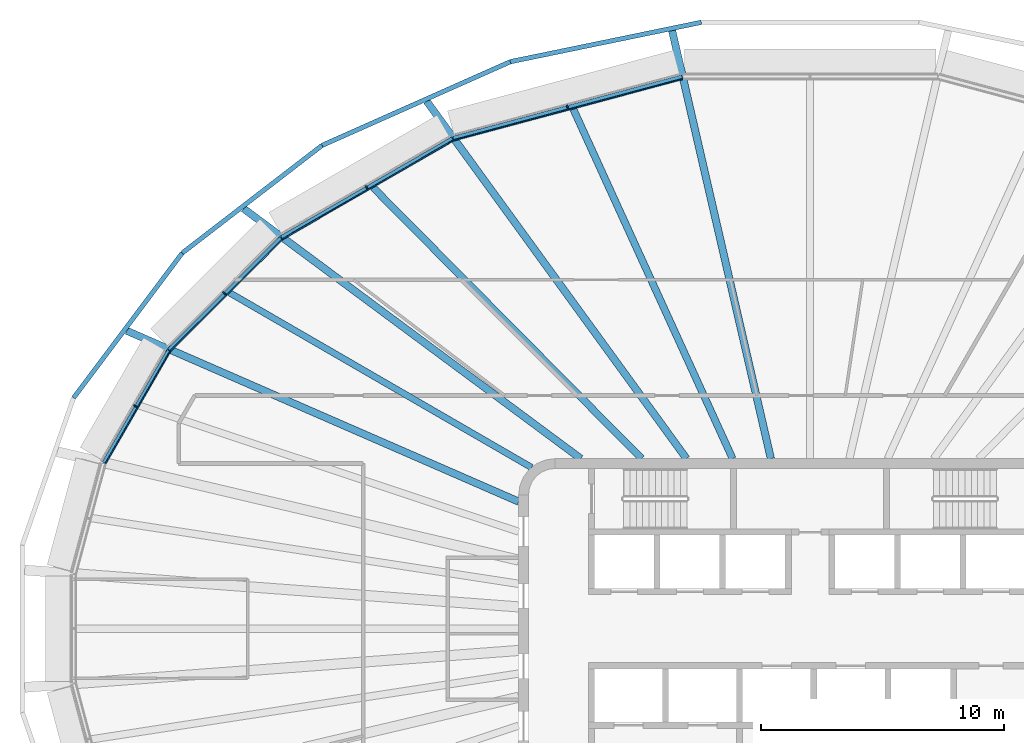
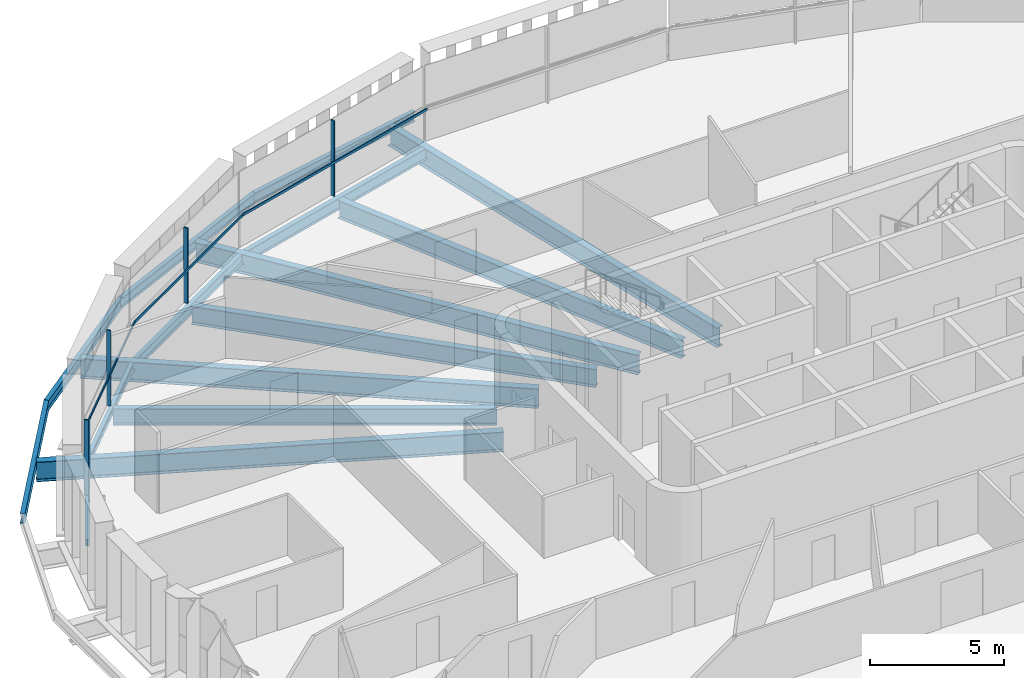
# One storey, part 5 of 19: 15 beams, 8 members, 4 elements without a shape of their own.
"""IFC4 building model written with IfcOpenShell, lengths in metres."""

from ifc_helpers import new_model, si_unit, direction, frame, origin, origin_2d, place, context, subcontext, project, spatial, rectangle, i_section, extrude, material, layer, layer_set, material_profile, profile_set, type_object, element, aggregate, save


model = new_model("IFC4")

# Units and contexts
model_context = context("Model", 3, precision=1e-05, world=origin(), true_north=direction((0.0, 1.0)))
body_context = subcontext(model_context, "Body", "Model", "MODEL_VIEW")
ifc_project = project(units=[si_unit("LENGTHUNIT", "METRE"), si_unit("AREAUNIT", "SQUARE_METRE"), si_unit("VOLUMEUNIT", "CUBIC_METRE"), si_unit("PLANEANGLEUNIT", "RADIAN"), si_unit("MASSUNIT", "GRAM", prefix="KILO")], contexts=[model_context])

# Site, building, storey
site_placement = place(None, origin())
site = spatial("IfcSite", under=ifc_project, at=site_placement, CompositionType="ELEMENT")
building_placement = place(site_placement, origin())
building = spatial("IfcBuilding", under=site, at=building_placement, Name="Sahrelin Media Tower", CompositionType="ELEMENT")
storey_placement = place(building_placement, frame((0.0, 0.0, 241.60009765625)))
storey = spatial("IfcBuildingStorey", under=building, at=storey_placement, Name="L52", CompositionType="ELEMENT", Elevation=241.60009765625)

# Beams
ifc_material_1 = material(Name="Steel S355", Category="steel")
ifc_material_profile_1 = material_profile(ifc_material_1, i_section(OverallWidth=0.1650390625, OverallDepth=0.303466796875, WebThickness=0.006103515625, FlangeThickness=0.01025390625, FilletRadius=0.0087890625, at=origin_2d()), Name="UB 305x165x40")
ifc_profile_set_1 = profile_set([ifc_material_profile_1], Name="Steel S355")
beam_type_1 = type_object("IfcBeamType", Name="Edge beam EB2", PredefinedType="BEAM", material=ifc_profile_set_1)
beam_1_placement = place(storey_placement, frame((-29.07177734375, 6.82470703125, -0.3017578125), z_axis=(0.500034814518, 0.86600530268, 0.0), x_axis=(-0.86600530268, 0.500034814518, 0.0)))
element("IfcBeam", 1, at=beam_1_placement, inside=storey, type_object=beam_type_1, Name="Edge beam L52-15", PredefinedType="BEAM", context=body_context, shape_type="SweptSolid", body=[
    extrude(i_section(OverallWidth=0.1650390625, OverallDepth=0.303466796875, WebThickness=0.006103515625, FlangeThickness=0.01025390625, FilletRadius=0.0087890625, at=origin_2d()), origin(), (0.0, 0.0, 1.0), 5.3447265625),
])
ifc_material_profile_2 = material_profile(ifc_material_1, i_section(OverallWidth=0.17138671875, OverallDepth=0.35498046875, WebThickness=0.00732421875, FlangeThickness=0.011474609375, FilletRadius=0.01025390625, at=origin_2d()), Name="UB 356x171x51")
ifc_profile_set_2 = profile_set([ifc_material_profile_2], Name="Steel S355")
beam_type_2 = type_object("IfcBeamType", Name="Edge beam EB3", PredefinedType="BEAM", material=ifc_profile_set_2)
beam_2_placement = place(storey_placement, frame((-26.381591796875, 11.476318359375, -0.32763671875), z_axis=(0.707106781187, 0.707106781187, 0.0), x_axis=(-0.707106781187, 0.707106781187, 0.0)))
element("IfcBeam", 2, at=beam_2_placement, inside=storey, type_object=beam_type_2, Name="Edge beam L52-16", PredefinedType="BEAM", context=body_context, shape_type="SweptSolid", body=[
    extrude(i_section(OverallWidth=0.17138671875, OverallDepth=0.35498046875, WebThickness=0.00732421875, FlangeThickness=0.011474609375, FilletRadius=0.01025390625, at=origin_2d()), origin(), (0.0, 0.0, 1.0), 6.508544921875),
])
ifc_material_profile_3 = material_profile(ifc_material_1, i_section(OverallWidth=0.1904296875, OverallDepth=0.45703125, WebThickness=0.009033203125, FlangeThickness=0.014404296875, FilletRadius=0.01025390625, at=origin_2d()), Name="UB 457x191x74")
ifc_profile_set_3 = profile_set([ifc_material_profile_3], Name="Steel S355")
beam_type_3 = type_object("IfcBeamType", Name="Edge beam EB5", PredefinedType="BEAM", material=ifc_profile_set_3)
beam_3_placement = place(storey_placement, frame((-21.756591796875, 16.095947265625, -0.378662109375), z_axis=(0.866024038412, 0.500002364886, 0.0), x_axis=(-0.500002364886, 0.866024038412, 0.0)))
element("IfcBeam", 3, at=beam_3_placement, inside=storey, type_object=beam_type_3, Name="Edge beam L52-17", PredefinedType="BEAM", context=body_context, shape_type="SweptSolid", body=[
    extrude(i_section(OverallWidth=0.1904296875, OverallDepth=0.45703125, WebThickness=0.009033203125, FlangeThickness=0.014404296875, FilletRadius=0.01025390625, at=origin_2d()), origin(), (0.0, 0.0, 1.0), 8.12890625),
])
ifc_material_profile_4 = material_profile(ifc_material_1, i_section(OverallWidth=0.208740234375, OverallDepth=0.5283203125, WebThickness=0.009521484375, FlangeThickness=0.01318359375, FilletRadius=0.0126953125, at=origin_2d()), Name="UB 533x210x82")
ifc_profile_set_4 = profile_set([ifc_material_profile_4], Name="Steel S355")
beam_type_4 = type_object("IfcBeamType", Name="Edge beam EB6", PredefinedType="BEAM", material=ifc_profile_set_4)
beam_4_placement = place(storey_placement, frame((-14.690185546875, 20.17138671875, -0.414306640625), z_axis=(0.965922692081, 0.258830741845, 0.0), x_axis=(-0.258830741845, 0.965922692081, 0.0)))
element("IfcBeam", 4, at=beam_4_placement, inside=storey, type_object=beam_type_4, Name="Edge beam L52-18", PredefinedType="BEAM", context=body_context, shape_type="SweptSolid", body=[
    extrude(i_section(OverallWidth=0.208740234375, OverallDepth=0.5283203125, WebThickness=0.009521484375, FlangeThickness=0.01318359375, FilletRadius=0.0126953125, at=origin_2d()), origin(), (0.0, 0.0, 1.0), 9.755126953125),
])

# Curtain wall, member
ifc_material_2 = material(Name="Champagne anodised aluminium 6063-T6", Category="aluminium")
ifc_layer = layer(ifc_material_2, 0.14990234375)
ifc_layer_set = layer_set([ifc_layer], Name="Tower ribbon curtain wall")
curtain_wall_type = type_object("IfcCurtainWallType", Name="Tower ribbon curtain wall", PredefinedType="NOTDEFINED", material=ifc_layer_set)
curtain_wall_1_placement = place(storey_placement, frame((-10.017578125, 21.578857421875, 0.0), z_axis=(0.0, 0.0, 1.0), x_axis=(1.0, 0.0, 0.0)))
curtain_wall_1 = element("IfcCurtainWall", 5, at=curtain_wall_1_placement, inside=storey, type_object=curtain_wall_type, Name="L52:CW:L52-07", PredefinedType="NOTDEFINED")
ifc_material_profile_5 = material_profile(ifc_material_2, rectangle(XDim=0.06005859375, YDim=0.175048828125, at=origin_2d()), Name="Mullion 60x175")
ifc_profile_set_5 = profile_set([ifc_material_profile_5], Name="Champagne anodised aluminium 6063-T6")
member_type_1 = type_object("IfcMemberType", Name="Mullion 60x175 CW1B", PredefinedType="MULLION", material=ifc_profile_set_5)
member_1_placement = place(storey_placement, frame((-9.98974609375, 21.474853515625, 0.0), z_axis=(0.0, 0.0, 1.0), x_axis=(-0.965925374563, -0.258820730961, 0.0)))
member_1 = element("IfcMember", 6, at=member_1_placement, type_object=member_type_1, Name="L52:CWM:L52-07", PredefinedType="MULLION", context=body_context, shape_type="SweptSolid", body=[
    extrude(rectangle(XDim=0.06005859375, YDim=0.175048828125, at=origin_2d()), origin(), (0.0, 0.0, 1.0), 3.448486328125),
])

curtain_wall_2_placement = place(storey_placement, frame((-18.3115234375, 18.258056640625, 0.0), z_axis=(0.0, 0.0, 1.0), x_axis=(1.0, 0.0, 0.0)))
curtain_wall_2 = element("IfcCurtainWall", 7, at=curtain_wall_2_placement, inside=storey, type_object=curtain_wall_type, Name="L52:CW:L52-08", PredefinedType="NOTDEFINED")
member_2_placement = place(storey_placement, frame((-18.2578125, 18.1650390625, 0.0), z_axis=(0.0, 0.0, 1.0), x_axis=(-0.866027149108, -0.499996976998, 0.0)))
member_2 = element("IfcMember", 8, at=member_2_placement, type_object=member_type_1, Name="L52:CWM:L52-08", PredefinedType="MULLION", context=body_context, shape_type="SweptSolid", body=[
    extrude(rectangle(XDim=0.06005859375, YDim=0.175048828125, at=origin_2d()), origin(), (0.0, 0.0, 1.0), 3.448486328125),
])

curtain_wall_3_placement = place(storey_placement, frame((-24.1865234375, 13.88330078125, 0.0), z_axis=(0.0, 0.0, 1.0), x_axis=(1.0, 0.0, 0.0)))
curtain_wall_3 = element("IfcCurtainWall", 9, at=curtain_wall_3_placement, inside=storey, type_object=curtain_wall_type, Name="L52:CW:L52-09", PredefinedType="NOTDEFINED")
member_3_placement = place(storey_placement, frame((-24.110595703125, 13.807373046875, 0.0), z_axis=(0.0, 0.0, 1.0), x_axis=(-0.707106781187, -0.707106781187, 0.0)))
member_3 = element("IfcMember", 10, at=member_3_placement, type_object=member_type_1, Name="L52:CWM:L52-09", PredefinedType="MULLION", context=body_context, shape_type="SweptSolid", body=[
    extrude(rectangle(XDim=0.06005859375, YDim=0.175048828125, at=origin_2d()), origin(), (0.0, 0.0, 1.0), 3.448486328125),
])

curtain_wall_4_placement = place(storey_placement, frame((-27.865234375, 9.214111328125, 0.0), z_axis=(0.0, 0.0, 1.0), x_axis=(1.0, 0.0, 0.0)))
curtain_wall_4 = element("IfcCurtainWall", 11, at=curtain_wall_4_placement, inside=storey, type_object=curtain_wall_type, Name="L52:CW:L52-10", PredefinedType="NOTDEFINED")
member_4_placement = place(storey_placement, frame((-27.772216796875, 9.16015625, 0.0), z_axis=(0.0, 0.0, 1.0), x_axis=(-0.500009068969, -0.866020167749, 0.0)))
member_4 = element("IfcMember", 12, at=member_4_placement, type_object=member_type_1, Name="L52:CWM:L52-10", PredefinedType="MULLION", context=body_context, shape_type="SweptSolid", body=[
    extrude(rectangle(XDim=0.06005859375, YDim=0.175048828125, at=origin_2d()), origin(), (0.0, 0.0, 1.0), 3.448486328125),
])

# Beams
ifc_material_profile_6 = material_profile(ifc_material_1, i_section(OverallWidth=0.30322265625, OverallDepth=0.903076171875, WebThickness=0.01513671875, FlangeThickness=0.020263671875, FilletRadius=0.01904296875, at=origin_2d()), Name="UB 914x305x201")
ifc_profile_set_6 = profile_set([ifc_material_profile_6], Name="Steel S355")
beam_type_5 = type_object("IfcBeamType", Name="Radial primary beam PB11", PredefinedType="BEAM", material=ifc_profile_set_6)
beam_5_placement = place(storey_placement, frame((-1.615478515625, 7.0, -0.6015625), z_axis=(-0.224863451121, 0.974390285435, 0.0), x_axis=(-0.974390285435, -0.224863451121, 0.0)))
element("IfcBeam", 13, at=beam_5_placement, inside=storey, type_object=beam_type_5, Name="Radial beam L52-07", PredefinedType="BEAM", context=body_context, shape_type="SweptSolid", body=[
    extrude(i_section(OverallWidth=0.30322265625, OverallDepth=0.903076171875, WebThickness=0.01513671875, FlangeThickness=0.020263671875, FilletRadius=0.01904296875, at=origin_2d()), origin(), (0.0, 0.0, 1.0), 18.081787109375),
])
beam_6_placement = place(storey_placement, frame((-5.08837890625, 7.0, -0.6015625), z_axis=(-0.587989674537, 0.808868433453, 0.0), x_axis=(-0.808868433453, -0.587989674537, 0.0)))
element("IfcBeam", 14, at=beam_6_placement, inside=storey, type_object=beam_type_5, Name="Radial beam L52-08", PredefinedType="BEAM", context=body_context, shape_type="SweptSolid", body=[
    extrude(i_section(OverallWidth=0.30322265625, OverallDepth=0.903076171875, WebThickness=0.01513671875, FlangeThickness=0.020263671875, FilletRadius=0.01904296875, at=origin_2d()), origin(), (0.0, 0.0, 1.0), 18.1845703125),
])
beam_7_placement = place(storey_placement, frame((-9.441162109375, 7.0, -0.6015625), z_axis=(-0.803283801232, 0.595596452876, 0.0), x_axis=(-0.595596452876, -0.803283801232, 0.0)))
element("IfcBeam", 15, at=beam_7_placement, inside=storey, type_object=beam_type_5, Name="Radial beam L52-09", PredefinedType="BEAM", context=body_context, shape_type="SweptSolid", body=[
    extrude(i_section(OverallWidth=0.30322265625, OverallDepth=0.903076171875, WebThickness=0.01513671875, FlangeThickness=0.020263671875, FilletRadius=0.01904296875, at=origin_2d()), origin(), (0.0, 0.0, 1.0), 17.280029296875),
])
beam_8_placement = place(storey_placement, frame((-12.0, 5.2314453125, -0.6015625), z_axis=(-0.916676810204, 0.399629360325, 0.0), x_axis=(-0.399629360325, -0.916676810204, 0.0)))
element("IfcBeam", 16, at=beam_8_placement, inside=storey, type_object=beam_type_5, Name="Radial beam L52-10", PredefinedType="BEAM", context=body_context, shape_type="SweptSolid", body=[
    extrude(i_section(OverallWidth=0.30322265625, OverallDepth=0.903076171875, WebThickness=0.01513671875, FlangeThickness=0.020263671875, FilletRadius=0.01904296875, at=origin_2d()), origin(), (0.0, 0.0, 1.0), 17.5986328125),
])
ifc_material_profile_7 = material_profile(ifc_material_1, i_section(OverallWidth=0.291748046875, OverallDepth=0.8349609375, WebThickness=0.013916015625, FlangeThickness=0.018798828125, FilletRadius=0.017822265625, at=origin_2d()), Name="UB 838x292x176")
ifc_profile_set_7 = profile_set([ifc_material_profile_7], Name="Steel S355")
beam_type_6 = type_object("IfcBeamType", Name="Radial secondary beam SB10", PredefinedType="BEAM", material=ifc_profile_set_7)
beam_9_placement = place(storey_placement, frame((-3.19091796875, 7.0, -0.567626953125), z_axis=(-0.414752003644, 0.90993448966, 0.0), x_axis=(-0.90993448966, -0.414752003644, 0.0)))
element("IfcBeam", 17, at=beam_9_placement, inside=storey, type_object=beam_type_6, Name="Secondary beam L52-07", PredefinedType="BEAM", context=body_context, shape_type="SweptSolid", body=[
    extrude(i_section(OverallWidth=0.291748046875, OverallDepth=0.8349609375, WebThickness=0.013916015625, FlangeThickness=0.018798828125, FilletRadius=0.017822265625, at=origin_2d()), origin(), (0.0, 0.0, 1.0), 15.8115234375),
])
beam_10_placement = place(storey_placement, frame((-6.934326171875, 7.0, -0.567626953125), z_axis=(-0.70375757682, 0.710440196687, 0.0), x_axis=(-0.710440196687, -0.70375757682, 0.0)))
element("IfcBeam", 18, at=beam_10_placement, inside=storey, type_object=beam_type_6, Name="Secondary beam L52-08", PredefinedType="BEAM", context=body_context, shape_type="SweptSolid", body=[
    extrude(i_section(OverallWidth=0.291748046875, OverallDepth=0.8349609375, WebThickness=0.013916015625, FlangeThickness=0.018798828125, FilletRadius=0.017822265625, at=origin_2d()), origin(), (0.0, 0.0, 1.0), 15.70947265625),
])
ifc_material_profile_8 = material_profile(ifc_material_1, i_section(OverallWidth=0.26513671875, OverallDepth=0.75390625, WebThickness=0.0126953125, FlangeThickness=0.017578125, FilletRadius=0.0166015625, at=origin_2d()), Name="UB 762x267x147")
ifc_profile_set_8 = profile_set([ifc_material_profile_8], Name="Steel S355")
beam_type_7 = type_object("IfcBeamType", Name="Radial secondary beam SB9", PredefinedType="BEAM", material=ifc_profile_set_8)
beam_11_placement = place(storey_placement, frame((-11.465087890625, 6.634033203125, -0.527099609375), z_axis=(-0.865540628134, 0.500838717602, 0.0), x_axis=(-0.500838717602, -0.865540628134, 0.0)))
element("IfcBeam", 19, at=beam_11_placement, inside=storey, type_object=beam_type_7, Name="Secondary beam L52-09", PredefinedType="BEAM", context=body_context, shape_type="SweptSolid", body=[
    extrude(i_section(OverallWidth=0.26513671875, OverallDepth=0.75390625, WebThickness=0.0126953125, FlangeThickness=0.017578125, FilletRadius=0.0166015625, at=origin_2d()), origin(), (0.0, 0.0, 1.0), 14.371826171875),
])
ifc_material_profile_9 = material_profile(ifc_material_1, i_section(OverallWidth=0.1904296875, OverallDepth=0.45703125, WebThickness=0.009033203125, FlangeThickness=0.014404296875, FilletRadius=0.01025390625, at=origin_2d()), Name="UB 457x191x74")
ifc_profile_set_9 = profile_set([ifc_material_profile_9], Name="Steel S355")
beam_type_8 = type_object("IfcBeamType", Name="Tie chord TC5", PredefinedType="BEAM", material=ifc_profile_set_9)
beam_12_placement = place(storey_placement, frame((-4.478515625, 24.964111328125, -0.378662109375), z_axis=(-0.979384699, -0.202003988487, 0.0), x_axis=(0.202003988487, -0.979384699, 0.0)))
element("IfcBeam", 20, at=beam_12_placement, inside=storey, type_object=beam_type_8, Name="Tie chord L52-07", PredefinedType="BEAM", context=body_context, shape_type="SweptSolid", body=[
    extrude(i_section(OverallWidth=0.1904296875, OverallDepth=0.45703125, WebThickness=0.009033203125, FlangeThickness=0.014404296875, FilletRadius=0.01025390625, at=origin_2d()), origin(), (0.0, 0.0, 1.0), 8.025146484375),
])
beam_13_placement = place(storey_placement, frame((-12.338134765625, 23.343017578125, -0.378662109375), z_axis=(-0.913825780346, -0.406106443159, 0.0), x_axis=(0.406106443159, -0.913825780346, 0.0)))
element("IfcBeam", 21, at=beam_13_placement, inside=storey, type_object=beam_type_8, Name="Tie chord L52-08", PredefinedType="BEAM", context=body_context, shape_type="SweptSolid", body=[
    extrude(i_section(OverallWidth=0.1904296875, OverallDepth=0.45703125, WebThickness=0.009033203125, FlangeThickness=0.014404296875, FilletRadius=0.01025390625, at=origin_2d()), origin(), (0.0, 0.0, 1.0), 8.488525390625),
])
beam_14_placement = place(storey_placement, frame((-20.09521484375, 19.895751953125, -0.378662109375), z_axis=(-0.792452705175, -0.609933365263, 0.0), x_axis=(0.609933365263, -0.792452705175, 0.0)))
element("IfcBeam", 22, at=beam_14_placement, inside=storey, type_object=beam_type_8, Name="Tie chord L52-09", PredefinedType="BEAM", context=body_context, shape_type="SweptSolid", body=[
    extrude(i_section(OverallWidth=0.1904296875, OverallDepth=0.45703125, WebThickness=0.009033203125, FlangeThickness=0.014404296875, FilletRadius=0.01025390625, at=origin_2d()), origin(), (0.0, 0.0, 1.0), 7.260498046875),
])
beam_15_placement = place(storey_placement, frame((-25.848876953125, 15.46728515625, -0.378662109375), z_axis=(-0.60004186865, -0.7999685968, 0.0), x_axis=(0.7999685968, -0.60004186865, 0.0)))
element("IfcBeam", 23, at=beam_15_placement, inside=storey, type_object=beam_type_8, Name="Tie chord L52-10", PredefinedType="BEAM", context=body_context, shape_type="SweptSolid", body=[
    extrude(i_section(OverallWidth=0.1904296875, OverallDepth=0.45703125, WebThickness=0.009033203125, FlangeThickness=0.014404296875, FilletRadius=0.01025390625, at=origin_2d()), origin(), (0.0, 0.0, 1.0), 7.463623046875),
])

# Member
ifc_material_profile_10 = material_profile(ifc_material_2, rectangle(XDim=0.050048828125, YDim=0.110107421875, at=origin_2d()), Name="Transom 50x110")
ifc_profile_set_10 = profile_set([ifc_material_profile_10], Name="Champagne anodised aluminium 6063-T6")
member_type_2 = type_object("IfcMemberType", Name="Transom 50x110 CW1B", PredefinedType="USERDEFINED", material=ifc_profile_set_10)
member_5_placement = place(storey_placement, frame((-5.2646484375, 22.62451171875, 1.599853515625), z_axis=(-0.965925860392, -0.25881891783, 0.0), x_axis=(0.25881891783, -0.965925860392, 0.0)))
member_5 = element("IfcMember", 24, at=member_5_placement, type_object=member_type_2, Name="L52:CWT:L52-07", ObjectType="TRANSOM", PredefinedType="USERDEFINED", context=body_context, shape_type="SweptSolid", body=[
    extrude(rectangle(XDim=0.050048828125, YDim=0.110107421875, at=origin_2d()), origin(), (0.0, 0.0, 1.0), 9.723388671875),
])

aggregate(curtain_wall_1, [member_1, member_5])

member_6_placement = place(storey_placement, frame((-14.6953125, 20.092041015625, 1.599853515625), z_axis=(-0.866022911947, -0.500004315964, 0.0), x_axis=(0.500004315964, -0.866022911947, 0.0)))
member_6 = element("IfcMember", 25, at=member_6_placement, type_object=member_type_2, Name="L52:CWT:L52-08", ObjectType="TRANSOM", PredefinedType="USERDEFINED", context=body_context, shape_type="SweptSolid", body=[
    extrude(rectangle(XDim=0.050048828125, YDim=0.110107421875, at=origin_2d()), origin(), (0.0, 0.0, 1.0), 8.09765625),
])

aggregate(curtain_wall_2, [member_2, member_6])

member_7_placement = place(storey_placement, frame((-21.740966796875, 16.017822265625, 1.599853515625), z_axis=(-0.707125627567, -0.707087934304, 0.0), x_axis=(0.707087934304, -0.707125627567, 0.0)))
member_7 = element("IfcMember", 26, at=member_7_placement, type_object=member_type_2, Name="L52:CWT:L52-09", ObjectType="TRANSOM", PredefinedType="USERDEFINED", context=body_context, shape_type="SweptSolid", body=[
    extrude(rectangle(XDim=0.050048828125, YDim=0.110107421875, at=origin_2d()), origin(), (0.0, 0.0, 1.0), 6.47705078125),
])

aggregate(curtain_wall_3, [member_3, member_7])

member_8_placement = place(storey_placement, frame((-26.346435546875, 11.40478515625, 1.599853515625), z_axis=(-0.500003519352, -0.866023371876, 0.0), x_axis=(0.866023371876, -0.500003519352, 0.0)))
member_8 = element("IfcMember", 27, at=member_8_placement, type_object=member_type_2, Name="L52:CWT:L52-10", ObjectType="TRANSOM", PredefinedType="USERDEFINED", context=body_context, shape_type="SweptSolid", body=[
    extrude(rectangle(XDim=0.050048828125, YDim=0.110107421875, at=origin_2d()), origin(), (0.0, 0.0, 1.0), 5.3134765625),
])

aggregate(curtain_wall_4, [member_4, member_8])

save(model, "model.ifc")
